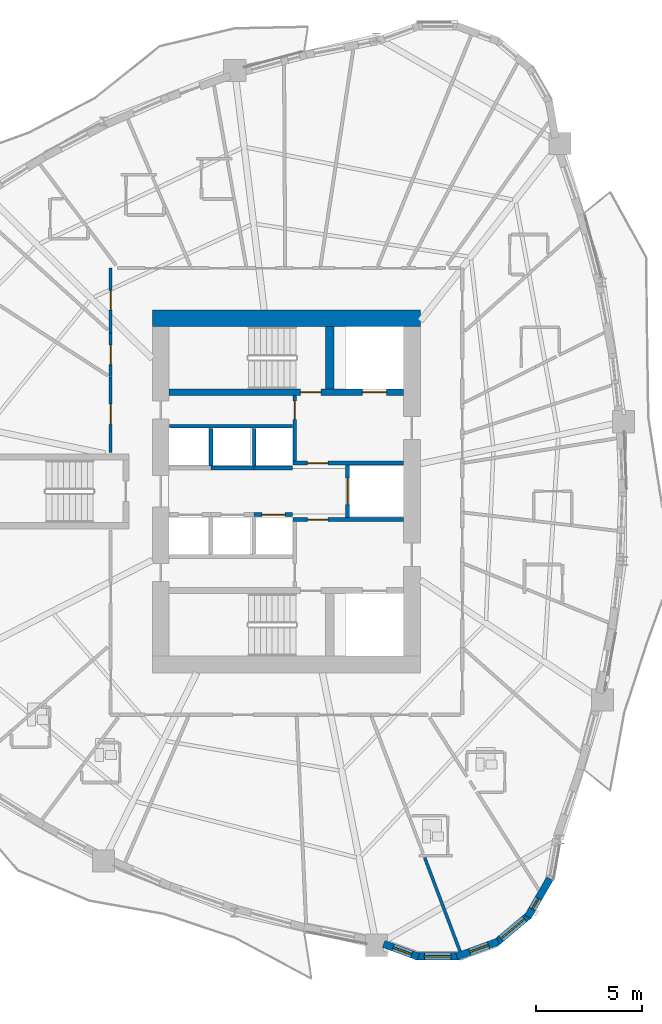
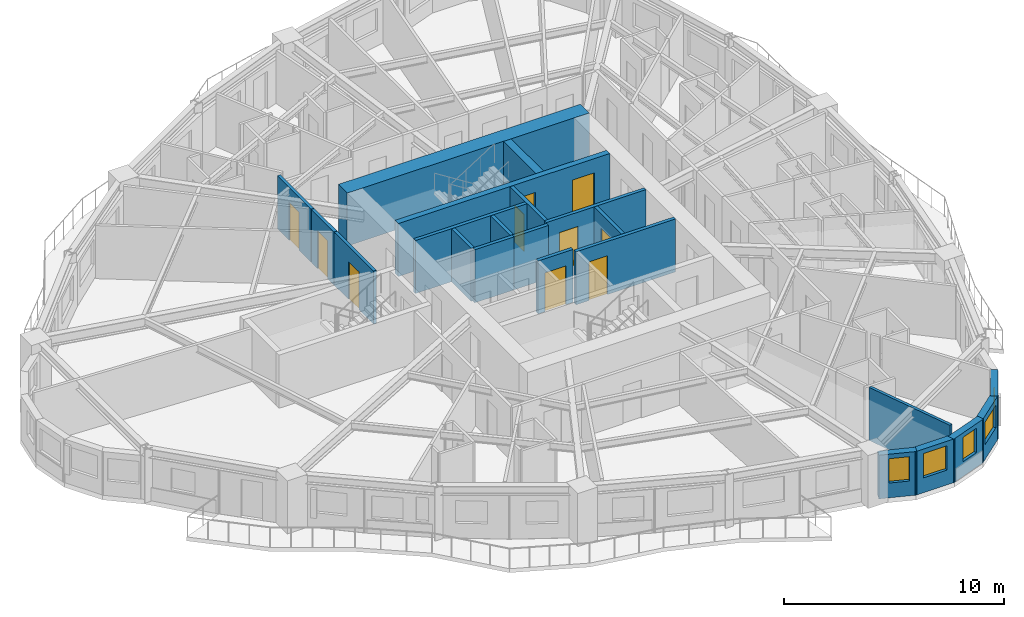
# One storey, part 5 of 14: 22 walls, 10 doors, 5 windows, 15 openings.
"""IFC4 building model written with IfcOpenShell, lengths in metres."""

from ifc_helpers import new_model, si_unit, direction, frame, frame_2d, origin, place, context, subcontext, project, spatial, rectangle, extrude, source, transform, mapped, material, layer, layer_set, type_object, element, fill, save


model = new_model("IFC4")

# Units and contexts
model_context = context("Model", 3, precision=1e-05, world=origin(), true_north=direction((0.0, 1.0)))
body_context = subcontext(model_context, "Body", "Model", "MODEL_VIEW")
ifc_project = project(units=[si_unit("LENGTHUNIT", "METRE"), si_unit("AREAUNIT", "SQUARE_METRE"), si_unit("VOLUMEUNIT", "CUBIC_METRE"), si_unit("PLANEANGLEUNIT", "RADIAN"), si_unit("MASSUNIT", "GRAM", prefix="KILO")], contexts=[model_context])

# Site, building, storey
site_placement = place(None, origin())
site = spatial("IfcSite", under=ifc_project, at=site_placement, CompositionType="ELEMENT")
building_placement = place(site_placement, origin())
building = spatial("IfcBuilding", under=site, at=building_placement, Name="Qafzar Sky-Pleat Residences", CompositionType="ELEMENT")
storey_placement = place(building_placement, frame((0.0, 0.0, 39.800048828125)))
storey = spatial("IfcBuildingStorey", under=building, at=storey_placement, Name="L11", CompositionType="ELEMENT", Elevation=39.800048828125)

# Wall, opening, door
ifc_material_1 = material(Name="Acoustic gypsum plasterboard partition", Category="gypsum")
ifc_layer_1 = layer(ifc_material_1, 0.159912109375)
ifc_layer_set_1 = layer_set([ifc_layer_1], Name="Acoustic gypsum plasterboard partition")
wall_type_1 = type_object("IfcWallType", Name="PART-COR-160", PredefinedType="PARTITIONING", material=ifc_layer_set_1)
wall_1_placement = place(storey_placement, frame((22.02001953125, 27.85009765625, 0.0), z_axis=(0.0, 0.0, 1.0), x_axis=(0.0, 1.0, 0.0)))
wall_1 = element("IfcWall", 1, at=wall_1_placement, inside=storey, type_object=wall_type_1, Name="L11 Partition Wall PART-L11-PW-004", PredefinedType="PARTITIONING", context=body_context, shape_type="SweptSolid", body=[
    extrude(rectangle(XDim=3.56884765625, YDim=0.159912109375, at=frame_2d((1.784423828125, 0.0))), origin(), (0.0, 0.0, 1.0), 2.93994140625),
])
opening_1_placement = place(wall_1_placement, frame((1.324951171875, 0.0, 0.0)))
opening_1 = element("IfcOpeningElement", 2, at=opening_1_placement, cuts=wall_1, Name="Opening ID-06", PredefinedType="OPENING", context=body_context, shape_type="SweptSolid", body=[
    extrude(rectangle(XDim=0.9599609375, YDim=2.10009765625, at=frame_2d((0.47998046875, 1.050048828125))), frame((0.0, 0.08984375, 0.0), z_axis=(0.0, -1.0, 0.0), x_axis=(1.0, 0.0, 0.0)), (0.0, 0.0, 1.0), 0.179931640625),
])
ifc_material_2 = material(Name="Timber-faced fire door", Category="wood")
door_type_1 = type_object("IfcDoorType", Name="DR-STD-960", OperationType="NOTDEFINED", PredefinedType="DOOR", material=ifc_material_2)
shared_shape_1 = source(origin(), body_context, "Body", "SweptSolid", [
    extrude(rectangle(XDim=0.9599609375, YDim=2.10009765625, at=frame_2d((0.47998046875, 1.050048828125))), frame((0.0, 0.02490234375, 0.0), z_axis=(0.0, -1.0, 0.0), x_axis=(1.0, 0.0, 0.0)), (0.0, 0.0, 1.0), 0.050048828125),
])
door_1_placement = place(opening_1_placement, origin())
door_1 = element("IfcDoor", 3, at=door_1_placement, inside=storey, type_object=door_type_1, Name="L11 Faculty Research Office Door", OperationType="SINGLE_SWING_LEFT", OverallHeight=2.10009765625, OverallWidth=0.9599609375, PredefinedType="DOOR", context=body_context, shape_type="MappedRepresentation", body=[
    mapped(shared_shape_1, transform((0.0, 0.0, 0.0), x_axis=(1.0, 0.0, 0.0), y_axis=(0.0, 1.0, 0.0), z_axis=(0.0, 0.0, 1.0), scale=1.0)),
])
fill(opening_1, door_1)

wall_2_placement = place(storey_placement, frame((22.02001953125, 33.511962890625, 0.0), z_axis=(0.0, 0.0, 1.0), x_axis=(0.0, 1.0, 0.0)))
wall_2 = element("IfcWall", 4, at=wall_2_placement, inside=storey, type_object=wall_type_1, Name="L11 Partition Wall PART-L11-PW-012", PredefinedType="PARTITIONING", context=body_context, shape_type="SweptSolid", body=[
    extrude(rectangle(XDim=3.068115234375, YDim=0.159912109375, at=frame_2d((1.5341796875, 0.0))), origin(), (0.0, 0.0, 1.0), 2.93994140625),
])
opening_2_placement = place(wall_2_placement, frame((1.08447265625, 0.0, 0.0)))
opening_2 = element("IfcOpeningElement", 5, at=opening_2_placement, cuts=wall_2, Name="Opening ID-04", PredefinedType="OPENING", context=body_context, shape_type="SweptSolid", body=[
    extrude(rectangle(XDim=0.919921875, YDim=2.10009765625, at=frame_2d((0.4599609375, 1.050048828125))), frame((0.0, 0.08984375, 0.0), z_axis=(0.0, -1.0, 0.0), x_axis=(1.0, 0.0, 0.0)), (0.0, 0.0, 1.0), 0.179931640625),
])
door_type_2 = type_object("IfcDoorType", Name="DR-BED-920", OperationType="NOTDEFINED", PredefinedType="DOOR", material=ifc_material_2)
shared_shape_2 = source(origin(), body_context, "Body", "SweptSolid", [
    extrude(rectangle(XDim=0.919921875, YDim=2.10009765625, at=frame_2d((0.4599609375, 1.050048828125))), frame((0.0, 0.02490234375, 0.0), z_axis=(0.0, -1.0, 0.0), x_axis=(1.0, 0.0, 0.0)), (0.0, 0.0, 1.0), 0.050048828125),
])
door_2_placement = place(opening_2_placement, origin())
door_2 = element("IfcDoor", 6, at=door_2_placement, inside=storey, type_object=door_type_2, Name="L11 Co-Living Bedroom 16 Door", OperationType="SINGLE_SWING_RIGHT", OverallHeight=2.10009765625, OverallWidth=0.919921875, PredefinedType="DOOR", context=body_context, shape_type="MappedRepresentation", body=[
    mapped(shared_shape_2, transform((0.0, 0.0, 0.0), x_axis=(1.0, 0.0, 0.0), y_axis=(0.0, 1.0, 0.0), z_axis=(0.0, 0.0, 1.0), scale=1.0)),
])
fill(opening_2, door_2)

wall_3_placement = place(storey_placement, frame((22.02001953125, 31.43408203125, 0.0), z_axis=(0.0, 0.0, 1.0), x_axis=(0.0, 1.0, 0.0)))
wall_3 = element("IfcWall", 7, at=wall_3_placement, inside=storey, type_object=wall_type_1, Name="L11 Partition Wall PART-L11-PW-018", PredefinedType="PARTITIONING", context=body_context, shape_type="SweptSolid", body=[
    extrude(rectangle(XDim=2.06298828125, YDim=0.159912109375, at=frame_2d((1.031494140625, 0.0))), origin(), (0.0, 0.0, 1.0), 2.93994140625),
])
opening_3_placement = place(wall_3_placement, frame((0.572998046875, 0.0, 0.0)))
opening_3 = element("IfcOpeningElement", 8, at=opening_3_placement, cuts=wall_3, Name="Opening ID-04", PredefinedType="OPENING", context=body_context, shape_type="SweptSolid", body=[
    extrude(rectangle(XDim=0.919921875, YDim=2.10009765625, at=frame_2d((0.4599609375, 1.050048828125))), frame((0.0, 0.08984375, 0.0), z_axis=(0.0, -1.0, 0.0), x_axis=(1.0, 0.0, 0.0)), (0.0, 0.0, 1.0), 0.179931640625),
])
door_3_placement = place(opening_3_placement, origin())
door_3 = element("IfcDoor", 9, at=door_3_placement, inside=storey, type_object=door_type_2, Name="L11 Co-Living Bedroom 15 Door", OperationType="SINGLE_SWING_LEFT", OverallHeight=2.10009765625, OverallWidth=0.919921875, PredefinedType="DOOR", context=body_context, shape_type="MappedRepresentation", body=[
    mapped(shared_shape_2, transform((0.0, 0.0, 0.0), x_axis=(1.0, 0.0, 0.0), y_axis=(0.0, 1.0, 0.0), z_axis=(0.0, 0.0, 1.0), scale=1.0)),
])
fill(opening_3, door_3)

ifc_material_3 = material(Name="Concrete blockwork partition", Category="masonry")
ifc_layer_2 = layer(ifc_material_3, 0.179931640625)
ifc_layer_set_2 = layer_set([ifc_layer_2], Name="Concrete blockwork partition")
wall_type_2 = type_object("IfcWallType", Name="PART-SHAFT-180", PredefinedType="PARTITIONING", material=ifc_layer_set_2)
wall_4_placement = place(storey_placement, frame((30.669921875, 24.659912109375, 0.0), z_axis=(0.0, 0.0, 1.0), x_axis=(1.0, 0.0, 0.0)))
wall_4 = element("IfcWall", 10, at=wall_4_placement, inside=storey, type_object=wall_type_2, Name="L11 Partition Wall PART-L11-FFL1-N", PredefinedType="PARTITIONING", context=body_context, shape_type="SweptSolid", body=[
    extrude(rectangle(XDim=5.219970703125, YDim=0.179931640625, at=frame_2d((2.60986328125, 0.0))), origin(), (0.0, 0.0, 1.0), 2.93994140625),
])
opening_4_placement = place(wall_4_placement, frame((0.679931640625, 0.0, 0.0)))
opening_4 = element("IfcOpeningElement", 11, at=opening_4_placement, cuts=wall_4, Name="Opening ID-01", PredefinedType="OPENING", context=body_context, shape_type="SweptSolid", body=[
    extrude(rectangle(XDim=0.97998046875, YDim=2.14990234375, at=frame_2d((0.489990234375, 1.074951171875))), frame((0.0, 0.10009765625, 0.0), z_axis=(0.0, -1.0, 0.0), x_axis=(1.0, 0.0, 0.0)), (0.0, 0.0, 1.0), 0.199951171875),
])
door_type_3 = type_object("IfcDoorType", Name="DR-STAIR-980", OperationType="NOTDEFINED", PredefinedType="DOOR", material=ifc_material_2)
shared_shape_3 = source(origin(), body_context, "Body", "SweptSolid", [
    extrude(rectangle(XDim=0.97998046875, YDim=2.14990234375, at=frame_2d((0.489990234375, 1.074951171875))), frame((0.0, 0.02490234375, 0.0), z_axis=(0.0, -1.0, 0.0), x_axis=(1.0, 0.0, 0.0)), (0.0, 0.0, 1.0), 0.050048828125),
])
door_4_placement = place(opening_4_placement, origin())
door_4 = element("IfcDoor", 12, at=door_4_placement, inside=storey, type_object=door_type_3, Name="L11 Lift Lobby to South Firefighting Lobby Door", OperationType="SINGLE_SWING_RIGHT", OverallHeight=2.14990234375, OverallWidth=0.97998046875, PredefinedType="DOOR", context=body_context, shape_type="MappedRepresentation", body=[
    mapped(shared_shape_3, transform((0.0, 0.0, 0.0), x_axis=(1.0, 0.0, 0.0), y_axis=(0.0, 1.0, 0.0), z_axis=(0.0, 0.0, 1.0), scale=1.0)),
])
fill(opening_4, door_4)

wall_5_placement = place(storey_placement, frame((30.75, 27.429931640625, 0.0), z_axis=(0.0, 0.0, 1.0), x_axis=(0.0, 1.0, 0.0)))
wall_5 = element("IfcWall", 13, at=wall_5_placement, inside=storey, type_object=wall_type_2, Name="L11 Partition Wall PART-L11-FFL2-W", PredefinedType="PARTITIONING", context=body_context, shape_type="SweptSolid", body=[
    extrude(rectangle(XDim=3.110107421875, YDim=0.179931640625, at=frame_2d((1.55517578125, 0.0))), origin(), (0.0, 0.0, 1.0), 2.93994140625),
])
opening_5_placement = place(wall_5_placement, frame((1.97998046875, 0.0, 0.0)))
opening_5 = element("IfcOpeningElement", 14, at=opening_5_placement, cuts=wall_5, Name="Opening ID-09", PredefinedType="OPENING", context=body_context, shape_type="SweptSolid", body=[
    extrude(rectangle(XDim=0.860107421875, YDim=2.050048828125, at=frame_2d((0.43017578125, 1.02490234375))), frame((0.0, 0.10009765625, 0.0), z_axis=(0.0, -1.0, 0.0), x_axis=(1.0, 0.0, 0.0)), (0.0, 0.0, 1.0), 0.199951171875),
])
door_type_4 = type_object("IfcDoorType", Name="DR-SVC-860", OperationType="NOTDEFINED", PredefinedType="DOOR", material=ifc_material_2)
shared_shape_4 = source(origin(), body_context, "Body", "SweptSolid", [
    extrude(rectangle(XDim=0.860107421875, YDim=2.050048828125, at=frame_2d((0.43017578125, 1.02490234375))), frame((0.0, 0.02490234375, 0.0), z_axis=(0.0, -1.0, 0.0), x_axis=(1.0, 0.0, 0.0)), (0.0, 0.0, 1.0), 0.050048828125),
])
door_5_placement = place(opening_5_placement, origin())
door_5 = element("IfcDoor", 15, at=door_5_placement, inside=storey, type_object=door_type_4, Name="L11 North Core Cupboard Door", OperationType="SINGLE_SWING_LEFT", OverallHeight=2.050048828125, OverallWidth=0.860107421875, PredefinedType="DOOR", context=body_context, shape_type="MappedRepresentation", body=[
    mapped(shared_shape_4, transform((0.0, 0.0, 0.0), x_axis=(1.0, 0.0, 0.0), y_axis=(0.0, 1.0, 0.0), z_axis=(0.0, 0.0, 1.0), scale=1.0)),
])
fill(opening_5, door_5)

wall_6_placement = place(storey_placement, frame((30.669921875, 27.340087890625, 0.0), z_axis=(0.0, 0.0, 1.0), x_axis=(1.0, 0.0, 0.0)))
wall_6 = element("IfcWall", 16, at=wall_6_placement, inside=storey, type_object=wall_type_2, Name="L11 Partition Wall PART-L11-FFL2-S", PredefinedType="PARTITIONING", context=body_context, shape_type="SweptSolid", body=[
    extrude(rectangle(XDim=5.219970703125, YDim=0.179931640625, at=frame_2d((2.60986328125, 0.0))), origin(), (0.0, 0.0, 1.0), 2.93994140625),
])
opening_6_placement = place(wall_6_placement, frame((0.679931640625, 0.0, 0.0)))
opening_6 = element("IfcOpeningElement", 17, at=opening_6_placement, cuts=wall_6, Name="Opening ID-01", PredefinedType="OPENING", context=body_context, shape_type="SweptSolid", body=[
    extrude(rectangle(XDim=0.97998046875, YDim=2.14990234375, at=frame_2d((0.489990234375, 1.074951171875))), frame((0.0, 0.10009765625, 0.0), z_axis=(0.0, -1.0, 0.0), x_axis=(1.0, 0.0, 0.0)), (0.0, 0.0, 1.0), 0.199951171875),
])
door_6_placement = place(opening_6_placement, origin())
door_6 = element("IfcDoor", 18, at=door_6_placement, inside=storey, type_object=door_type_3, Name="L11 Lift Lobby to North Firefighting Lobby Door", OperationType="SINGLE_SWING_RIGHT", OverallHeight=2.14990234375, OverallWidth=0.97998046875, PredefinedType="DOOR", context=body_context, shape_type="MappedRepresentation", body=[
    mapped(shared_shape_3, transform((0.0, 0.0, 0.0), x_axis=(1.0, 0.0, 0.0), y_axis=(0.0, 1.0, 0.0), z_axis=(0.0, 0.0, 1.0), scale=1.0)),
])
fill(opening_6, door_6)

wall_7_placement = place(storey_placement, frame((33.25, 24.760009765625, 0.0), z_axis=(0.0, 0.0, 1.0), x_axis=(0.0, 1.0, 0.0)))
wall_7 = element("IfcWall", 19, at=wall_7_placement, inside=storey, type_object=wall_type_2, Name="L11 Partition Wall PART-L11-SV1-W", PredefinedType="PARTITIONING", context=body_context, shape_type="SweptSolid", body=[
    extrude(rectangle(XDim=2.47998046875, YDim=0.179931640625, at=frame_2d((1.239990234375, 0.0))), origin(), (0.0, 0.0, 1.0), 2.93994140625),
])
opening_7_placement = place(wall_7_placement, frame((0.614990234375, 0.0, 0.0)))
opening_7 = element("IfcOpeningElement", 20, at=opening_7_placement, cuts=wall_7, Name="Opening LD-03", PredefinedType="OPENING", context=body_context, shape_type="SweptSolid", body=[
    extrude(rectangle(XDim=1.25, YDim=2.14990234375, at=frame_2d((0.625, 1.074951171875))), frame((0.0, 0.10009765625, 0.0), z_axis=(0.0, -1.0, 0.0), x_axis=(1.0, 0.0, 0.0)), (0.0, 0.0, 1.0), 0.199951171875),
])
ifc_material_4 = material(Name="Stainless steel sliding landing door", Category="steel")
door_type_5 = type_object("IfcDoorType", Name="DR-LIFT-SV", OperationType="DOUBLE_DOOR_SLIDING", PredefinedType="DOOR", material=ifc_material_4)
shared_shape_5 = source(origin(), body_context, "Body", "SweptSolid", [
    extrude(rectangle(XDim=1.25, YDim=2.14990234375, at=frame_2d((0.625, 1.074951171875))), frame((0.0, 0.02490234375, 0.0), z_axis=(0.0, -1.0, 0.0), x_axis=(1.0, 0.0, 0.0)), (0.0, 0.0, 1.0), 0.050048828125),
])
door_7_placement = place(opening_7_placement, origin())
door_7 = element("IfcDoor", 21, at=door_7_placement, inside=storey, type_object=door_type_5, Name="L11 Service Lift SV1 Landing Door", OperationType="DOUBLE_DOOR_SLIDING", OverallHeight=2.14990234375, OverallWidth=1.25, PredefinedType="DOOR", context=body_context, shape_type="MappedRepresentation", body=[
    mapped(shared_shape_5, transform((0.0, 0.0, 0.0), x_axis=(1.0, 0.0, 0.0), y_axis=(0.0, 1.0, 0.0), z_axis=(0.0, 0.0, 1.0), scale=1.0)),
])
fill(opening_7, door_7)

wall_8_placement = place(storey_placement, frame((28.824951171875, 24.89990234375, 0.0), z_axis=(0.0, 0.0, 1.0), x_axis=(1.0, 0.0, 0.0)))
wall_8 = element("IfcWall", 22, at=wall_8_placement, inside=storey, type_object=wall_type_2, Name="L11 Partition Wall PART-L11-P3-N", PredefinedType="PARTITIONING", context=body_context, shape_type="SweptSolid", body=[
    extrude(rectangle(XDim=1.824951171875, YDim=0.179931640625, at=frame_2d((0.91259765625, 0.0))), origin(), (0.0, 0.0, 1.0), 2.93994140625),
])
opening_8_placement = place(wall_8_placement, frame((0.362548828125, 0.0, 0.0)))
opening_8 = element("IfcOpeningElement", 23, at=opening_8_placement, cuts=wall_8, Name="Opening LD-01", PredefinedType="OPENING", context=body_context, shape_type="SweptSolid", body=[
    extrude(rectangle(XDim=1.10009765625, YDim=2.14990234375, at=frame_2d((0.550048828125, 1.074951171875))), frame((0.0, 0.10009765625, 0.0), z_axis=(0.0, -1.0, 0.0), x_axis=(1.0, 0.0, 0.0)), (0.0, 0.0, 1.0), 0.199951171875),
])
door_type_6 = type_object("IfcDoorType", Name="DR-LIFT-P", OperationType="DOUBLE_DOOR_SLIDING", PredefinedType="DOOR", material=ifc_material_4)
shared_shape_6 = source(origin(), body_context, "Body", "SweptSolid", [
    extrude(rectangle(XDim=1.10009765625, YDim=2.14990234375, at=frame_2d((0.550048828125, 1.074951171875))), frame((0.0, 0.02490234375, 0.0), z_axis=(0.0, -1.0, 0.0), x_axis=(1.0, 0.0, 0.0)), (0.0, 0.0, 1.0), 0.050048828125),
])
door_8_placement = place(opening_8_placement, origin())
door_8 = element("IfcDoor", 24, at=door_8_placement, inside=storey, type_object=door_type_6, Name="L11 Passenger Lift P3 Landing Door", OperationType="DOUBLE_DOOR_SLIDING", OverallHeight=2.14990234375, OverallWidth=1.10009765625, PredefinedType="DOOR", context=body_context, shape_type="MappedRepresentation", body=[
    mapped(shared_shape_6, transform((0.0, 0.0, 0.0), x_axis=(1.0, 0.0, 0.0), y_axis=(0.0, 1.0, 0.0), z_axis=(0.0, 0.0, 1.0), scale=1.0)),
])
fill(opening_8, door_8)

# Walls
wall_9_placement = place(storey_placement, frame((24.81005859375, 29.080078125, 0.0), z_axis=(0.0, 0.0, 1.0), x_axis=(1.0, 0.0, 0.0)))
element("IfcWall", 25, at=wall_9_placement, inside=storey, type_object=wall_type_2, Name="L11 Partition Wall PART-L11-P46-N", PredefinedType="PARTITIONING", context=body_context, shape_type="SweptSolid", body=[
    extrude(rectangle(XDim=5.83984375, YDim=0.179931640625, at=frame_2d((2.919921875, 0.0))), origin(), (0.0, 0.0, 1.0), 2.93994140625),
])
wall_10_placement = place(storey_placement, frame((26.77490234375, 27.10009765625, 0.0), z_axis=(0.0, 0.0, 1.0), x_axis=(1.0, 0.0, 0.0)))
element("IfcWall", 26, at=wall_10_placement, inside=storey, type_object=wall_type_2, Name="L11 Partition Wall PART-L11-P5-S", PredefinedType="PARTITIONING", context=body_context, shape_type="SweptSolid", body=[
    extrude(rectangle(XDim=2.050048828125, YDim=0.179931640625, at=frame_2d((1.02490234375, 0.0))), origin(), (0.0, 0.0, 1.0), 2.93994140625),
])
wall_11_placement = place(storey_placement, frame((26.77490234375, 27.199951171875, 0.0), z_axis=(0.0, 0.0, 1.0), x_axis=(0.0, 1.0, 0.0)))
element("IfcWall", 27, at=wall_11_placement, inside=storey, type_object=wall_type_2, Name="L11 Partition Wall PART-L11-P46-DIV-1", PredefinedType="PARTITIONING", context=body_context, shape_type="SweptSolid", body=[
    extrude(rectangle(XDim=1.780029296875, YDim=0.179931640625, at=frame_2d((0.89013671875, 0.0))), origin(), (0.0, 0.0, 1.0), 2.93994140625),
])
wall_12_placement = place(storey_placement, frame((28.824951171875, 27.10009765625, 0.0), z_axis=(0.0, 0.0, 1.0), x_axis=(1.0, 0.0, 0.0)))
element("IfcWall", 28, at=wall_12_placement, inside=storey, type_object=wall_type_2, Name="L11 Partition Wall PART-L11-P6-S", PredefinedType="PARTITIONING", context=body_context, shape_type="SweptSolid", body=[
    extrude(rectangle(XDim=1.824951171875, YDim=0.179931640625, at=frame_2d((0.91259765625, 0.0))), origin(), (0.0, 0.0, 1.0), 2.93994140625),
])
wall_13_placement = place(storey_placement, frame((28.824951171875, 27.199951171875, 0.0), z_axis=(0.0, 0.0, 1.0), x_axis=(0.0, 1.0, 0.0)))
element("IfcWall", 29, at=wall_13_placement, inside=storey, type_object=wall_type_2, Name="L11 Partition Wall PART-L11-P46-DIV-2", PredefinedType="PARTITIONING", context=body_context, shape_type="SweptSolid", body=[
    extrude(rectangle(XDim=1.780029296875, YDim=0.179931640625, at=frame_2d((0.89013671875, 0.0))), origin(), (0.0, 0.0, 1.0), 2.93994140625),
])
ifc_layer_3 = layer(ifc_material_1, 0.14501953125)
ifc_layer_set_3 = layer_set([ifc_layer_3], Name="Acoustic gypsum plasterboard partition")
wall_type_3 = type_object("IfcWallType", Name="PART-UNIT-145", PredefinedType="PARTITIONING", material=ifc_layer_set_3)
wall_14_placement = place(storey_placement, frame((36.903076171875, 8.64697265625, 0.0), z_axis=(0.0, 0.0, 1.0), x_axis=(0.353286560965, -0.935515155324, 0.0)))
element("IfcWall", 30, at=wall_14_placement, inside=storey, type_object=wall_type_3, Name="L11 Partition Wall PART-L11-PW-051", PredefinedType="PARTITIONING", context=body_context, shape_type="SweptSolid", body=[
    extrude(rectangle(XDim=4.74755859375, YDim=0.14501953125, at=frame_2d((2.373779296875, 0.0))), origin(), (0.0, 0.0, 1.0), 2.93994140625),
])

# Wall, opening, window
ifc_material_5 = material(Name="Precast concrete C40/50 with honed Riyadh limestone", Category="concrete")
ifc_layer_4 = layer(ifc_material_5, 0.35009765625)
ifc_layer_set_4 = layer_set([ifc_layer_4], Name="Precast concrete C40/50 with honed Riyadh limestone")
wall_type_4 = type_object("IfcWallType", Name="WALL-EXT-350", PredefinedType="SOLIDWALL", material=ifc_layer_set_4)
wall_15_placement = place(storey_placement, frame((34.959228515625, 4.55419921875, 0.0), z_axis=(0.0, 0.0, 1.0), x_axis=(0.939646909041, -0.342145709208, 0.0)))
wall_15 = element("IfcWall", 31, at=wall_15_placement, inside=storey, type_object=wall_type_4, Name="L11 Limestone Facade Wall 17", PredefinedType="SOLIDWALL", context=body_context, shape_type="SweptSolid", body=[
    extrude(rectangle(XDim=1.75244140625, YDim=0.35009765625, at=frame_2d((0.876220703125, 0.0))), origin(), (0.0, 0.0, 1.0), 2.419921875),
])
opening_9_placement = place(wall_15_placement, frame((0.476318359375, 0.0, 0.820068359375)))
opening_9 = element("IfcOpeningElement", 32, at=opening_9_placement, cuts=wall_15, Name="Opening WN-12", PredefinedType="OPENING", context=body_context, shape_type="SweptSolid", body=[
    extrude(rectangle(XDim=0.949951171875, YDim=1.35009765625, at=frame_2d((0.47509765625, 0.675048828125))), frame((0.0, 0.18505859375, 0.0), z_axis=(0.0, -1.0, 0.0), x_axis=(1.0, 0.0, 0.0)), (0.0, 0.0, 1.0), 0.3701171875),
])
ifc_material_6 = material(Name="Solar-control low-E glass in bronze aluminium frame", Category="glass")
window_type_1 = type_object("IfcWindowType", Name="WIN-12", PartitioningType="SINGLE_PANEL", PredefinedType="WINDOW", material=ifc_material_6)
shared_shape_7 = source(origin(), body_context, "Body", "SweptSolid", [
    extrude(rectangle(XDim=0.949951171875, YDim=1.35009765625, at=frame_2d((0.47509765625, 0.675048828125))), frame((0.0, 0.030029296875, 0.0), z_axis=(0.0, -1.0, 0.0), x_axis=(1.0, 0.0, 0.0)), (0.0, 0.0, 1.0), 0.06005859375),
])
window_1_placement = place(opening_9_placement, origin())
window_1 = element("IfcWindow", 33, at=window_1_placement, inside=storey, type_object=window_type_1, Name="L11 Punched Facade Window 17", OverallHeight=1.35009765625, OverallWidth=0.949951171875, PartitioningType="SINGLE_PANEL", PredefinedType="WINDOW", context=body_context, shape_type="MappedRepresentation", body=[
    mapped(shared_shape_7, transform((0.0, 0.0, 0.0), x_axis=(1.0, 0.0, 0.0), y_axis=(0.0, 1.0, 0.0), z_axis=(0.0, 0.0, 1.0), scale=1.0)),
])
fill(opening_9, window_1)

wall_16_placement = place(storey_placement, frame((36.472412109375, 3.978271484375, 0.0), z_axis=(0.0, 0.0, 1.0), x_axis=(1.0, 0.0, 0.0)))
wall_16 = element("IfcWall", 34, at=wall_16_placement, inside=storey, type_object=wall_type_4, Name="L11 Limestone Facade Wall 18", PredefinedType="SOLIDWALL", context=body_context, shape_type="SweptSolid", body=[
    extrude(rectangle(XDim=2.09033203125, YDim=0.35009765625, at=frame_2d((1.045166015625, 0.0))), origin(), (0.0, 0.0, 1.0), 2.419921875),
])
opening_10_placement = place(wall_16_placement, frame((0.420166015625, 0.0, 0.820068359375)))
opening_10 = element("IfcOpeningElement", 35, at=opening_10_placement, cuts=wall_16, Name="Opening WN-11", PredefinedType="OPENING", context=body_context, shape_type="SweptSolid", body=[
    extrude(rectangle(XDim=1.25, YDim=1.35009765625, at=frame_2d((0.625, 0.675048828125))), frame((0.0, 0.18505859375, 0.0), z_axis=(0.0, -1.0, 0.0), x_axis=(1.0, 0.0, 0.0)), (0.0, 0.0, 1.0), 0.3701171875),
])
window_type_2 = type_object("IfcWindowType", Name="WIN-11", PartitioningType="SINGLE_PANEL", PredefinedType="WINDOW", material=ifc_material_6)
shared_shape_8 = source(origin(), body_context, "Body", "SweptSolid", [
    extrude(rectangle(XDim=1.25, YDim=1.35009765625, at=frame_2d((0.625, 0.675048828125))), frame((0.0, 0.030029296875, 0.0), z_axis=(0.0, -1.0, 0.0), x_axis=(1.0, 0.0, 0.0)), (0.0, 0.0, 1.0), 0.06005859375),
])
window_2_placement = place(opening_10_placement, origin())
window_2 = element("IfcWindow", 36, at=window_2_placement, inside=storey, type_object=window_type_2, Name="L11 Punched Facade Window 18", OverallHeight=1.35009765625, OverallWidth=1.25, PartitioningType="SINGLE_PANEL", PredefinedType="WINDOW", context=body_context, shape_type="MappedRepresentation", body=[
    mapped(shared_shape_8, transform((0.0, 0.0, 0.0), x_axis=(1.0, 0.0, 0.0), y_axis=(0.0, 1.0, 0.0), z_axis=(0.0, 0.0, 1.0), scale=1.0)),
])
fill(opening_10, window_2)

wall_17_placement = place(storey_placement, frame((38.42919921875, 3.95458984375, 0.0), z_axis=(0.0, 0.0, 1.0), x_axis=(0.939660353162, 0.342108784886, 0.0)))
wall_17 = element("IfcWall", 37, at=wall_17_placement, inside=storey, type_object=wall_type_4, Name="L11 Limestone Facade Wall 19", PredefinedType="SOLIDWALL", context=body_context, shape_type="SweptSolid", body=[
    extrude(rectangle(XDim=2.09033203125, YDim=0.35009765625, at=frame_2d((1.045166015625, 0.0))), origin(), (0.0, 0.0, 1.0), 2.419921875),
])
opening_11_placement = place(wall_17_placement, frame((0.644287109375, 0.0, 0.820068359375)))
opening_11 = element("IfcOpeningElement", 38, at=opening_11_placement, cuts=wall_17, Name="Opening WN-12", PredefinedType="OPENING", context=body_context, shape_type="SweptSolid", body=[
    extrude(rectangle(XDim=0.949951171875, YDim=1.35009765625, at=frame_2d((0.47509765625, 0.675048828125))), frame((0.0, 0.18505859375, 0.0), z_axis=(0.0, -1.0, 0.0), x_axis=(1.0, 0.0, 0.0)), (0.0, 0.0, 1.0), 0.3701171875),
])
window_3_placement = place(opening_11_placement, origin())
window_3 = element("IfcWindow", 39, at=window_3_placement, inside=storey, type_object=window_type_1, Name="L11 Punched Facade Window 19", OverallHeight=1.35009765625, OverallWidth=0.949951171875, PartitioningType="SINGLE_PANEL", PredefinedType="WINDOW", context=body_context, shape_type="MappedRepresentation", body=[
    mapped(shared_shape_7, transform((0.0, 0.0, 0.0), x_axis=(1.0, 0.0, 0.0), y_axis=(0.0, 1.0, 0.0), z_axis=(0.0, 0.0, 1.0), scale=1.0)),
])
fill(opening_11, window_3)

wall_18_placement = place(storey_placement, frame((40.27587890625, 4.601806640625, 0.0), z_axis=(0.0, 0.0, 1.0), x_axis=(0.766024572719, 0.642811289563, 0.0)))
wall_18 = element("IfcWall", 40, at=wall_18_placement, inside=storey, type_object=wall_type_4, Name="L11 Limestone Facade Wall 20", PredefinedType="SOLIDWALL", context=body_context, shape_type="SweptSolid", body=[
    extrude(rectangle(XDim=2.09033203125, YDim=0.35009765625, at=frame_2d((1.045166015625, 0.0))), origin(), (0.0, 0.0, 1.0), 2.419921875),
])
opening_12_placement = place(wall_18_placement, frame((0.3203125, 0.0, 0.820068359375)))
opening_12 = element("IfcOpeningElement", 41, at=opening_12_placement, cuts=wall_18, Name="Opening WN-15", PredefinedType="OPENING", context=body_context, shape_type="SweptSolid", body=[
    extrude(rectangle(XDim=1.449951171875, YDim=1.25, at=frame_2d((0.72509765625, 0.625))), frame((0.0, 0.18505859375, 0.0), z_axis=(0.0, -1.0, 0.0), x_axis=(1.0, 0.0, 0.0)), (0.0, 0.0, 1.0), 0.3701171875),
])
window_type_3 = type_object("IfcWindowType", Name="WIN-15", PartitioningType="SINGLE_PANEL", PredefinedType="WINDOW", material=ifc_material_6)
shared_shape_9 = source(origin(), body_context, "Body", "SweptSolid", [
    extrude(rectangle(XDim=1.449951171875, YDim=1.25, at=frame_2d((0.72509765625, 0.625))), frame((0.0, 0.030029296875, 0.0), z_axis=(0.0, -1.0, 0.0), x_axis=(1.0, 0.0, 0.0)), (0.0, 0.0, 1.0), 0.06005859375),
])
window_4_placement = place(opening_12_placement, origin())
window_4 = element("IfcWindow", 42, at=window_4_placement, inside=storey, type_object=window_type_3, Name="L11 Punched Facade Window 20", OverallHeight=1.25, OverallWidth=1.449951171875, PartitioningType="SINGLE_PANEL", PredefinedType="WINDOW", context=body_context, shape_type="MappedRepresentation", body=[
    mapped(shared_shape_9, transform((0.0, 0.0, 0.0), x_axis=(1.0, 0.0, 0.0), y_axis=(0.0, 1.0, 0.0), z_axis=(0.0, 0.0, 1.0), scale=1.0)),
])
fill(opening_12, window_4)

wall_19_placement = place(storey_placement, frame((41.7900390625, 5.841552734375, 0.0), z_axis=(0.0, 0.0, 1.0), x_axis=(0.499995423472, 0.866028046028, 0.0)))
wall_19 = element("IfcWall", 43, at=wall_19_placement, inside=storey, type_object=wall_type_4, Name="L11 Limestone Facade Wall 21", PredefinedType="SOLIDWALL", context=body_context, shape_type="SweptSolid", body=[
    extrude(rectangle(XDim=2.09033203125, YDim=0.35009765625, at=frame_2d((1.045166015625, 0.0))), origin(), (0.0, 0.0, 1.0), 2.419921875),
])
opening_13_placement = place(wall_19_placement, frame((0.4267578125, 0.0, 0.820068359375)))
opening_13 = element("IfcOpeningElement", 44, at=opening_13_placement, cuts=wall_19, Name="Opening WN-17", PredefinedType="OPENING", context=body_context, shape_type="SweptSolid", body=[
    extrude(rectangle(XDim=0.580078125, YDim=1.35009765625, at=frame_2d((0.2900390625, 0.675048828125))), frame((0.0, 0.18505859375, 0.0), z_axis=(0.0, -1.0, 0.0), x_axis=(1.0, 0.0, 0.0)), (0.0, 0.0, 1.0), 0.3701171875),
])
window_type_4 = type_object("IfcWindowType", Name="WIN-17", PartitioningType="SINGLE_PANEL", PredefinedType="WINDOW", material=ifc_material_6)
shared_shape_10 = source(origin(), body_context, "Body", "SweptSolid", [
    extrude(rectangle(XDim=0.580078125, YDim=1.35009765625, at=frame_2d((0.2900390625, 0.675048828125))), frame((0.0, 0.030029296875, 0.0), z_axis=(0.0, -1.0, 0.0), x_axis=(1.0, 0.0, 0.0)), (0.0, 0.0, 1.0), 0.06005859375),
])
window_5_placement = place(opening_13_placement, origin())
window_5 = element("IfcWindow", 45, at=window_5_placement, inside=storey, type_object=window_type_4, Name="L11 Punched Facade Window 21", OverallHeight=1.35009765625, OverallWidth=0.580078125, PartitioningType="SINGLE_PANEL", PredefinedType="WINDOW", context=body_context, shape_type="MappedRepresentation", body=[
    mapped(shared_shape_10, transform((0.0, 0.0, 0.0), x_axis=(1.0, 0.0, 0.0), y_axis=(0.0, 1.0, 0.0), z_axis=(0.0, 0.0, 1.0), scale=1.0)),
])
fill(opening_13, window_5)

# Wall, openings, doors
ifc_material_7 = material(Name="Concrete C60/75", Category="concrete")
ifc_layer_5 = layer(ifc_material_7, 0.300048828125)
ifc_layer_set_5 = layer_set([ifc_layer_5], Name="Concrete C60/75")
wall_type_5 = type_object("IfcWallType", Name="WALL-SHEAR-300", PredefinedType="SHEAR", material=ifc_layer_set_5)
wall_20_placement = place(storey_placement, frame((24.800048828125, 30.699951171875, 0.0), z_axis=(0.0, 0.0, 1.0), x_axis=(1.0, 0.0, 0.0)))
wall_20 = element("IfcWall", 46, at=wall_20_placement, inside=storey, type_object=wall_type_5, Name="L11 Stair ST2 and FF2 Shaft South Wall", PredefinedType="SHEAR", context=body_context, shape_type="SweptSolid", body=[
    extrude(rectangle(XDim=11.099853515625, YDim=0.300048828125, at=frame_2d((5.5498046875, 0.0))), origin(), (0.0, 0.0, 1.0), 2.93994140625),
])
opening_14_placement = place(wall_20_placement, frame((6.219970703125, 0.0, 0.0)))
opening_14 = element("IfcOpeningElement", 47, at=opening_14_placement, cuts=wall_20, Name="Opening ID-01", PredefinedType="OPENING", context=body_context, shape_type="SweptSolid", body=[
    extrude(rectangle(XDim=0.97998046875, YDim=2.14990234375, at=frame_2d((0.489990234375, 1.074951171875))), frame((0.0, 0.16015625, 0.0), z_axis=(0.0, -1.0, 0.0), x_axis=(1.0, 0.0, 0.0)), (0.0, 0.0, 1.0), 0.320068359375),
])
opening_15_placement = place(wall_20_placement, frame((9.14990234375, 0.0, 0.0)))
opening_15 = element("IfcOpeningElement", 48, at=opening_15_placement, cuts=wall_20, Name="Opening LD-02", PredefinedType="OPENING", context=body_context, shape_type="SweptSolid", body=[
    extrude(rectangle(XDim=1.14990234375, YDim=2.14990234375, at=frame_2d((0.574951171875, 1.074951171875))), frame((0.0, 0.16015625, 0.0), z_axis=(0.0, -1.0, 0.0), x_axis=(1.0, 0.0, 0.0)), (0.0, 0.0, 1.0), 0.320068359375),
])
door_9_placement = place(opening_14_placement, origin())
door_9 = element("IfcDoor", 49, at=door_9_placement, inside=storey, type_object=door_type_3, Name="L11 Stair ST2 Fire Door", OperationType="SINGLE_SWING_LEFT", OverallHeight=2.14990234375, OverallWidth=0.97998046875, PredefinedType="DOOR", context=body_context, shape_type="MappedRepresentation", body=[
    mapped(shared_shape_3, transform((0.0, 0.0, 0.0), x_axis=(1.0, 0.0, 0.0), y_axis=(0.0, 1.0, 0.0), z_axis=(0.0, 0.0, 1.0), scale=1.0)),
])
fill(opening_14, door_9)
door_type_7 = type_object("IfcDoorType", Name="DR-LIFT-FF", OperationType="DOUBLE_DOOR_SLIDING", PredefinedType="DOOR", material=ifc_material_4)
shared_shape_11 = source(origin(), body_context, "Body", "SweptSolid", [
    extrude(rectangle(XDim=1.14990234375, YDim=2.14990234375, at=frame_2d((0.574951171875, 1.074951171875))), frame((0.0, 0.02490234375, 0.0), z_axis=(0.0, -1.0, 0.0), x_axis=(1.0, 0.0, 0.0)), (0.0, 0.0, 1.0), 0.050048828125),
])
door_10_placement = place(opening_15_placement, origin())
door_10 = element("IfcDoor", 50, at=door_10_placement, inside=storey, type_object=door_type_7, Name="L11 Firefighting Lift FF2 Landing Door", OperationType="DOUBLE_DOOR_SLIDING", OverallHeight=2.14990234375, OverallWidth=1.14990234375, PredefinedType="DOOR", context=body_context, shape_type="MappedRepresentation", body=[
    mapped(shared_shape_11, transform((0.0, 0.0, 0.0), x_axis=(1.0, 0.0, 0.0), y_axis=(0.0, 1.0, 0.0), z_axis=(0.0, 0.0, 1.0), scale=1.0)),
])
fill(opening_15, door_10)

# Walls
ifc_layer_6 = layer(ifc_material_7, 0.39990234375)
ifc_layer_set_6 = layer_set([ifc_layer_6], Name="Concrete C60/75")
wall_type_6 = type_object("IfcWallType", Name="WALL-SHEAR-400", PredefinedType="SHEAR", material=ifc_layer_set_6)
wall_21_placement = place(storey_placement, frame((32.39990234375, 30.85009765625, 0.0), z_axis=(0.0, 0.0, 1.0), x_axis=(0.0, 1.0, 0.0)))
element("IfcWall", 51, at=wall_21_placement, inside=storey, type_object=wall_type_6, Name="L11 Stair ST2 East Dividing Wall", PredefinedType="SHEAR", context=body_context, shape_type="SweptSolid", body=[
    extrude(rectangle(XDim=2.949951171875, YDim=0.39990234375, at=frame_2d((1.47509765625, 0.0))), origin(), (0.0, 0.0, 1.0), 2.93994140625),
])
ifc_layer_7 = layer(ifc_material_7, 0.800048828125)
ifc_layer_set_7 = layer_set([ifc_layer_7], Name="Concrete C60/75")
wall_type_7 = type_object("IfcWallType", Name="WALL-SHEAR-800", PredefinedType="SHEAR", material=ifc_layer_set_7)
wall_22_placement = place(storey_placement, frame((36.699951171875, 34.199951171875, 0.0), z_axis=(0.0, 0.0, 1.0), x_axis=(-1.0, 0.0, 0.0)))
element("IfcWall", 52, at=wall_22_placement, inside=storey, type_object=wall_type_7, Name="L11 CORE wall N", PredefinedType="SHEAR", context=body_context, shape_type="SweptSolid", body=[
    extrude(rectangle(XDim=12.699951171875, YDim=0.800048828125, at=frame_2d((6.35009765625, 0.0))), origin(), (0.0, 0.0, 1.0), 2.93994140625),
])

save(model, "model.ifc")
